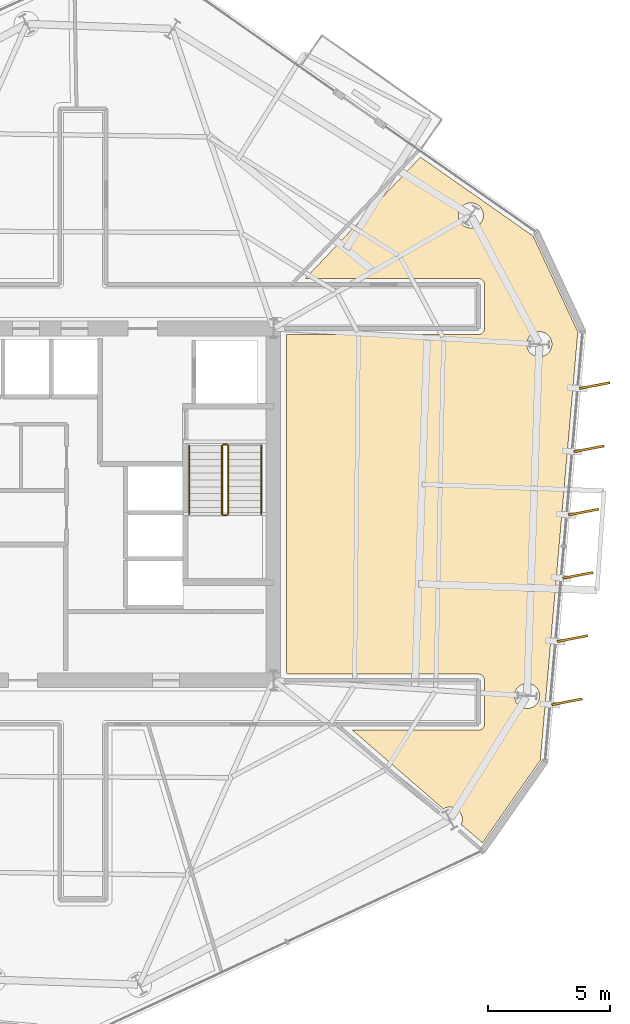
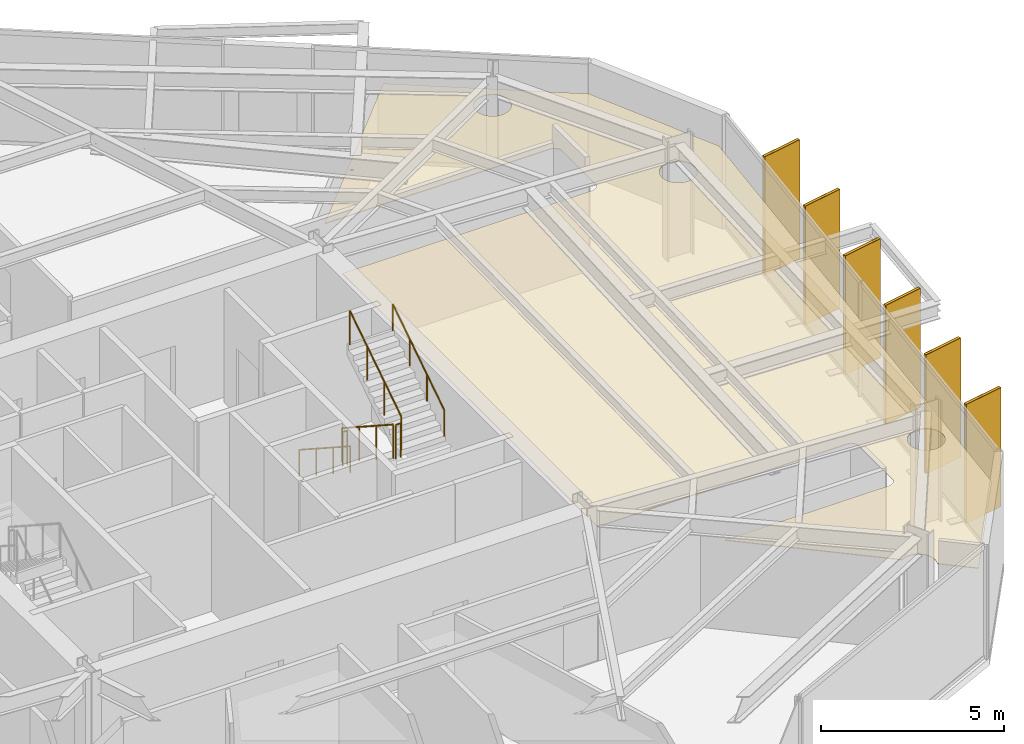
# One storey, part 11 of 12: 7 coverings, 6 railings, 6 shading devices.
"""IFC4 building model written with IfcOpenShell, lengths in metres."""

from ifc_helpers import new_model, si_unit, direction, frame, origin, origin_2d, place, context, subcontext, project, spatial, polyline, rectangle, circle, outline, extrude, material, layer, layer_set, type_object, element, save


model = new_model("IFC4")

# Units and contexts
model_context = context("Model", 3, precision=1e-05, world=origin(), true_north=direction((0.0, 1.0)))
body_context = subcontext(model_context, "Body", "Model", "MODEL_VIEW")
ifc_project = project(units=[si_unit("LENGTHUNIT", "METRE"), si_unit("AREAUNIT", "SQUARE_METRE"), si_unit("VOLUMEUNIT", "CUBIC_METRE"), si_unit("PLANEANGLEUNIT", "RADIAN"), si_unit("MASSUNIT", "GRAM", prefix="KILO")], contexts=[model_context])

# Site, building, storey
site_placement = place(None, origin())
site = spatial("IfcSite", under=ifc_project, at=site_placement, CompositionType="ELEMENT")
building_placement = place(site_placement, origin())
building = spatial("IfcBuilding", under=site, at=building_placement, Name="Kranzbogen Civic Tower", CompositionType="ELEMENT")
storey_placement = place(building_placement, frame((0.0, 0.0, 122.39990234375)))
storey = spatial("IfcBuildingStorey", under=building, at=storey_placement, Name="L29", CompositionType="ELEMENT", Elevation=122.39990234375)

# Coverings
ifc_material_1 = material(Name="Pale Anodised Aluminium", Category="aluminium")
ifc_layer_1 = layer(ifc_material_1, 0.02490234375, Name="Pale Anodised Aluminium")
ifc_layer_set_1 = layer_set([ifc_layer_1], Name="Pale Anodised Aluminium")
covering_type_1 = type_object("IfcCoveringType", Name="Anodised Aluminium Vertical Fin Cladding 25 mm", PredefinedType="CLADDING", material=ifc_layer_set_1)
for number, where, z_axis, x_axis, name in (
    (1, (44.822021484375, 16.912109375, -0.139892578125), (0.0, 0.0, 1.0), (0.982349334715, 0.187055565501, 0.0), "L29 vertical fin pale-metal cladding F6-1"),
    (2, (45.048095703125, 19.501953125, -0.139892578125), (0.0, 0.0, 1.0), (0.982349334715, 0.187055565501, 0.0), "L29 vertical fin pale-metal cladding F6-2"),
    (3, (45.27490234375, 22.092041015625, -0.139892578125), (0.0, 0.0, 1.0), (0.982349334715, 0.187055565501, 0.0), "L29 vertical fin pale-metal cladding F6-3"),
    (4, (45.5009765625, 24.681884765625, -0.139892578125), (0.0, 0.0, 1.0), (0.982349334715, 0.187055565501, 0.0), "L29 vertical fin pale-metal cladding F6-4"),
    (5, (45.72802734375, 27.27197265625, -0.139892578125), (0.0, 0.0, 1.0), (0.982349334715, 0.187055565501, 0.0), "L29 vertical fin pale-metal cladding F6-5"),
    (6, (45.955078125, 29.862060546875, -0.139892578125), (0.0, 0.0, 1.0), (0.982349334715, 0.187055565501, 0.0), "L29 vertical fin pale-metal cladding F6-6"),
):
    element("IfcCovering", number, at=place(storey_placement, frame(where, z_axis=z_axis, x_axis=x_axis)), inside=storey, type_object=covering_type_1, Name=name, PredefinedType="CLADDING", context=body_context, shape_type="SweptSolid", body=[
        extrude(rectangle(XDim=1.25, YDim=0.10009765625, at=origin_2d()), origin(), (0.0, 0.0, 1.0), 3.9599609375),
    ])

# Shading devices
ifc_material_2 = material(Name="Anodised Bronze Aluminium", Category="aluminium")
shading_device_type = type_object("IfcShadingDeviceType", Name="Anodised Bronze Vertical Facade Fin 1250x80", PredefinedType="USERDEFINED", material=ifc_material_2)
for number, where, z_axis, x_axis, name in (
    (7, (44.822021484375, 16.912109375, -0.139892578125), (0.0, 0.0, 1.0), (0.982349334715, 0.187055565501, 0.0), "L29 vertical exterior shading fin F6-1"),
    (8, (45.048095703125, 19.501953125, -0.139892578125), (0.0, 0.0, 1.0), (0.982349334715, 0.187055565501, 0.0), "L29 vertical exterior shading fin F6-2"),
    (9, (45.27490234375, 22.092041015625, -0.139892578125), (0.0, 0.0, 1.0), (0.982349334715, 0.187055565501, 0.0), "L29 vertical exterior shading fin F6-3"),
    (10, (45.5009765625, 24.681884765625, -0.139892578125), (0.0, 0.0, 1.0), (0.982349334715, 0.187055565501, 0.0), "L29 vertical exterior shading fin F6-4"),
    (11, (45.72802734375, 27.27197265625, -0.139892578125), (0.0, 0.0, 1.0), (0.982349334715, 0.187055565501, 0.0), "L29 vertical exterior shading fin F6-5"),
    (12, (45.955078125, 29.862060546875, -0.139892578125), (0.0, 0.0, 1.0), (0.982349334715, 0.187055565501, 0.0), "L29 vertical exterior shading fin F6-6"),
):
    element("IfcShadingDevice", number, at=place(storey_placement, frame(where, z_axis=z_axis, x_axis=x_axis)), inside=storey, type_object=shading_device_type, Name=name, ObjectType="FIN", PredefinedType="USERDEFINED", context=body_context, shape_type="SweptSolid", body=[
        extrude(rectangle(XDim=1.25, YDim=0.080078125, at=origin_2d()), origin(), (0.0, 0.0, 1.0), 3.9599609375),
    ])

# Railings
ifc_material_3 = material(Name="Steel S355", Category="steel")
railing_type_1 = type_object("IfcRailingType", Name="Internal Stair and Void Steel Guardrail 1150", PredefinedType="GUARDRAIL", material=ifc_material_3)
railing_1_placement = place(storey_placement, frame((30.699951171875, 27.39990234375, 0.181884765625)))
element("IfcRailing", 13, at=railing_1_placement, inside=storey, type_object=railing_type_1, Name="L29 ST-T2 stair guard 1", PredefinedType="GUARDRAIL", context=body_context, shape_type="SweptSolid", body=[
    extrude(circle(Radius=0.02392578125, at=origin_2d()), frame((0.0, 0.0, 1.1259765625), z_axis=(0.0, -0.83868413941, 0.544618136222), x_axis=(1.0, 0.0, 0.0)), (0.0, 0.0, 1.0), 3.33837890625),
    extrude(circle(Radius=0.02099609375, at=origin_2d()), origin(), (0.0, 0.0, 1.0), 1.101806640625),
    extrude(circle(Radius=0.02099609375, at=origin_2d()), frame((0.0, -0.933349609375, 0.60595703125)), (0.0, 0.0, 1.0), 1.101806640625),
    extrude(circle(Radius=0.02099609375, at=origin_2d()), frame((0.0, -1.866455078125, 1.212158203125)), (0.0, 0.0, 1.0), 1.101806640625),
    extrude(circle(Radius=0.02099609375, at=origin_2d()), frame((0.0, -2.7998046875, 1.818115234375)), (0.0, 0.0, 1.0), 1.101806640625),
])
railing_2_placement = place(storey_placement, frame((30.75, 24.550048828125, 2.0)))
element("IfcRailing", 14, at=railing_2_placement, inside=storey, type_object=railing_type_1, Name="L29 ST-T2 stair guard 2", PredefinedType="GUARDRAIL", context=body_context, shape_type="SweptSolid", body=[
    extrude(circle(Radius=0.02392578125, at=origin_2d()), frame((0.0, 0.0, 1.1259765625), z_axis=(1.0, 0.0, 0.0), x_axis=(0.0, 1.0, 0.0)), (0.0, 0.0, 1.0), 0.14990234375),
    extrude(circle(Radius=0.02099609375, at=origin_2d()), origin(), (0.0, 0.0, 1.0), 1.101806640625),
    extrude(circle(Radius=0.02099609375, at=origin_2d()), frame((0.14990234375, 0.0, 0.0)), (0.0, 0.0, 1.0), 1.101806640625),
])
railing_3_placement = place(storey_placement, frame((30.949951171875, 24.60009765625, 2.181884765625)))
element("IfcRailing", 15, at=railing_3_placement, inside=storey, type_object=railing_type_1, Name="L29 ST-T2 stair guard 3", PredefinedType="GUARDRAIL", context=body_context, shape_type="SweptSolid", body=[
    extrude(circle(Radius=0.02392578125, at=origin_2d()), frame((0.0, 0.0, 1.1259765625), z_axis=(0.0, 0.83868413941, 0.544618136222), x_axis=(-1.0, 0.0, 0.0)), (0.0, 0.0, 1.0), 3.33837890625),
    extrude(circle(Radius=0.02099609375, at=origin_2d()), origin(), (0.0, 0.0, 1.0), 1.101806640625),
    extrude(circle(Radius=0.02099609375, at=origin_2d()), frame((0.0, 0.933349609375, 0.60595703125)), (0.0, 0.0, 1.0), 1.101806640625),
    extrude(circle(Radius=0.02099609375, at=origin_2d()), frame((0.0, 1.866455078125, 1.212158203125)), (0.0, 0.0, 1.0), 1.101806640625),
    extrude(circle(Radius=0.02099609375, at=origin_2d()), frame((0.0, 2.7998046875, 1.818115234375)), (0.0, 0.0, 1.0), 1.101806640625),
])
railing_4_placement = place(storey_placement, frame((30.75, 27.449951171875, 0.0)))
element("IfcRailing", 16, at=railing_4_placement, inside=storey, type_object=railing_type_1, Name="L29 ST-T2 stair guard 4", PredefinedType="GUARDRAIL", context=body_context, shape_type="SweptSolid", body=[
    extrude(circle(Radius=0.02392578125, at=origin_2d()), frame((0.0, 0.0, 1.1259765625), z_axis=(1.0, 0.0, 0.0), x_axis=(0.0, 1.0, 0.0)), (0.0, 0.0, 1.0), 0.14990234375),
    extrude(circle(Radius=0.02099609375, at=origin_2d()), origin(), (0.0, 0.0, 1.0), 1.101806640625),
    extrude(circle(Radius=0.02099609375, at=origin_2d()), frame((0.14990234375, 0.0, 0.0)), (0.0, 0.0, 1.0), 1.101806640625),
])

# Covering
ifc_material_4 = material(Name="Perforated Acoustic Gypsum Ceiling")
ifc_layer_2 = layer(ifc_material_4, 0.02490234375, Name="Perforated Acoustic Gypsum Ceiling")
ifc_layer_set_2 = layer_set([ifc_layer_2], Name="Perforated Acoustic Gypsum Ceiling")
covering_type_2 = type_object("IfcCoveringType", Name="Perforated Acoustic Mineral Ceiling Tile 25 mm", PredefinedType="CEILING", material=ifc_layer_set_2)
covering_placement = place(storey_placement, frame((0.0, 0.0, 2.75)))
element("IfcCovering", 17, at=covering_placement, inside=storey, type_object=covering_type_2, Name="L29 Staff Tea Pantry acoustic ceiling", PredefinedType="CEILING", context=body_context, shape_type="SweptSolid", body=[
    extrude(outline(polyline([(41.362060546875, 11.137939453125), (40.4951171875, 11.888916015625), (40.498046875, 11.89501953125), (40.514892578125, 11.943115234375), (40.527099609375, 11.991943359375), (40.534912109375, 12.0419921875), (40.537109375, 12.092041015625), (40.534912109375, 12.14208984375), (40.527099609375, 12.19189453125), (40.514892578125, 12.240966796875), (40.498046875, 12.2890625), (40.47705078125, 12.333984375), (40.450927734375, 12.3779296875), (40.4208984375, 12.41796875), (40.386962890625, 12.4560546875), (40.34912109375, 12.489990234375), (40.30908203125, 12.52001953125), (40.264892578125, 12.5458984375), (40.219970703125, 12.56689453125), (40.172119140625, 12.583984375), (40.123046875, 12.595947265625), (40.072998046875, 12.60400390625), (40.02294921875, 12.60595703125), (39.972900390625, 12.60400390625), (39.923095703125, 12.595947265625), (39.8740234375, 12.583984375), (39.825927734375, 12.56689453125), (39.781005859375, 12.5458984375), (39.756103515625, 12.531005859375), (36.037109375, 15.7548828125), (41.199951171875, 15.7548828125), (41.208984375, 15.7548828125), (41.215087890625, 15.756103515625), (41.23291015625, 15.757080078125), (41.239013671875, 15.758056640625), (41.256103515625, 15.761962890625), (41.262939453125, 15.762939453125), (41.280029296875, 15.76806640625), (41.285888671875, 15.77001953125), (41.302001953125, 15.777099609375), (41.30810546875, 15.780029296875), (41.322998046875, 15.7880859375), (41.3291015625, 15.7919921875), (41.343017578125, 15.801025390625), (41.347900390625, 15.804931640625), (41.362060546875, 15.81591796875), (41.366943359375, 15.821044921875), (41.37890625, 15.8330078125), (41.384033203125, 15.837890625), (41.39501953125, 15.85205078125), (41.39892578125, 15.85693359375), (41.407958984375, 15.87109375), (41.412109375, 15.876953125), (41.419921875, 15.89208984375), (41.423095703125, 15.89794921875), (41.429931640625, 15.9140625), (41.431884765625, 15.919921875), (41.43701171875, 15.93701171875), (41.43798828125, 15.944091796875), (41.44189453125, 15.9609375), (41.443115234375, 15.967041015625), (41.444091796875, 15.985107421875), (41.445068359375, 15.990966796875), (41.445068359375, 16.0), (41.445068359375, 17.800048828125), (41.445068359375, 17.80908203125), (41.444091796875, 17.81494140625), (41.443115234375, 17.8330078125), (41.44189453125, 17.839111328125), (41.43798828125, 17.85595703125), (41.43701171875, 17.863037109375), (41.431884765625, 17.8798828125), (41.429931640625, 17.885986328125), (41.423095703125, 17.902099609375), (41.419921875, 17.907958984375), (41.412109375, 17.923095703125), (41.407958984375, 17.928955078125), (41.39892578125, 17.943115234375), (41.39501953125, 17.947998046875), (41.384033203125, 17.9619140625), (41.37890625, 17.967041015625), (41.366943359375, 17.97900390625), (41.362060546875, 17.98388671875), (41.347900390625, 17.9951171875), (41.343017578125, 17.9990234375), (41.3291015625, 18.008056640625), (41.322998046875, 18.011962890625), (41.30810546875, 18.02001953125), (41.302001953125, 18.02294921875), (41.285888671875, 18.030029296875), (41.280029296875, 18.031982421875), (41.262939453125, 18.037109375), (41.256103515625, 18.0380859375), (41.239013671875, 18.0419921875), (41.23291015625, 18.04296875), (41.215087890625, 18.0439453125), (41.208984375, 18.044921875), (41.199951171875, 18.044921875), (33.39599609375, 18.044921875), (33.344970703125, 18.089111328125), (33.344970703125, 31.955078125), (41.199951171875, 31.955078125), (41.208984375, 31.955078125), (41.215087890625, 31.9560546875), (41.23291015625, 31.95703125), (41.239013671875, 31.9580078125), (41.256103515625, 31.9619140625), (41.262939453125, 31.962890625), (41.280029296875, 31.968017578125), (41.285888671875, 31.969970703125), (41.302001953125, 31.97705078125), (41.30810546875, 31.97998046875), (41.322998046875, 31.988037109375), (41.3291015625, 31.991943359375), (41.343017578125, 32.0009765625), (41.347900390625, 32.0048828125), (41.362060546875, 32.01611328125), (41.366943359375, 32.02099609375), (41.37890625, 32.032958984375), (41.384033203125, 32.0380859375), (41.39501953125, 32.052001953125), (41.39892578125, 32.056884765625), (41.407958984375, 32.071044921875), (41.412109375, 32.076904296875), (41.419921875, 32.092041015625), (41.423095703125, 32.097900390625), (41.429931640625, 32.114013671875), (41.431884765625, 32.1201171875), (41.43701171875, 32.136962890625), (41.43798828125, 32.14404296875), (41.44189453125, 32.160888671875), (41.443115234375, 32.1669921875), (41.444091796875, 32.18505859375), (41.445068359375, 32.19091796875), (41.445068359375, 32.199951171875), (41.445068359375, 34.0), (41.445068359375, 34.009033203125), (41.444091796875, 34.014892578125), (41.443115234375, 34.032958984375), (41.44189453125, 34.0390625), (41.43798828125, 34.055908203125), (41.43701171875, 34.06298828125), (41.431884765625, 34.080078125), (41.429931640625, 34.0859375), (41.423095703125, 34.10205078125), (41.419921875, 34.10791015625), (41.412109375, 34.123046875), (41.407958984375, 34.12890625), (41.39892578125, 34.14306640625), (41.39501953125, 34.14794921875), (41.384033203125, 34.162109375), (41.37890625, 34.1669921875), (41.366943359375, 34.178955078125), (41.362060546875, 34.18408203125), (41.347900390625, 34.195068359375), (41.343017578125, 34.198974609375), (41.3291015625, 34.2080078125), (41.322998046875, 34.2119140625), (41.30810546875, 34.219970703125), (41.302001953125, 34.222900390625), (41.285888671875, 34.22998046875), (41.280029296875, 34.23193359375), (41.262939453125, 34.237060546875), (41.256103515625, 34.238037109375), (41.239013671875, 34.241943359375), (41.23291015625, 34.242919921875), (41.215087890625, 34.243896484375), (41.208984375, 34.2451171875), (41.199951171875, 34.2451171875), (34.10693359375, 34.2451171875), (38.822998046875, 39.217041015625), (43.43896484375, 35.985107421875), (45.26806640625, 32.06494140625), (43.73291015625, 14.52294921875), (41.362060546875, 11.137939453125)]), holes=[polyline([(43.662109375, 16.958984375), (43.64111328125, 16.9140625), (43.614990234375, 16.8701171875), (43.5849609375, 16.830078125), (43.551025390625, 16.7919921875), (43.512939453125, 16.758056640625), (43.472900390625, 16.72802734375), (43.428955078125, 16.701904296875), (43.384033203125, 16.680908203125), (43.3359375, 16.6640625), (43.287109375, 16.652099609375), (43.237060546875, 16.64404296875), (43.18701171875, 16.64208984375), (43.136962890625, 16.64404296875), (43.0869140625, 16.652099609375), (43.0380859375, 16.6640625), (42.989990234375, 16.680908203125), (42.945068359375, 16.701904296875), (42.90087890625, 16.72802734375), (42.861083984375, 16.758056640625), (42.822998046875, 16.7919921875), (42.7890625, 16.830078125), (42.759033203125, 16.8701171875), (42.73291015625, 16.9140625), (42.7119140625, 16.958984375), (42.695068359375, 17.007080078125), (42.68310546875, 17.055908203125), (42.675048828125, 17.10595703125), (42.673095703125, 17.156005859375), (42.675048828125, 17.2060546875), (42.68310546875, 17.256103515625), (42.695068359375, 17.304931640625), (42.7119140625, 17.35302734375), (42.73291015625, 17.39794921875), (42.759033203125, 17.44189453125), (42.7890625, 17.48193359375), (42.822998046875, 17.52001953125), (42.861083984375, 17.553955078125), (42.90087890625, 17.583984375), (42.945068359375, 17.610107421875), (42.989990234375, 17.631103515625), (43.0380859375, 17.64794921875), (43.0869140625, 17.659912109375), (43.136962890625, 17.66796875), (43.18701171875, 17.669921875), (43.237060546875, 17.66796875), (43.287109375, 17.659912109375), (43.3359375, 17.64794921875), (43.384033203125, 17.631103515625), (43.428955078125, 17.610107421875), (43.472900390625, 17.583984375), (43.512939453125, 17.553955078125), (43.551025390625, 17.52001953125), (43.5849609375, 17.48193359375), (43.614990234375, 17.44189453125), (43.64111328125, 17.39794921875), (43.662109375, 17.35302734375), (43.678955078125, 17.304931640625), (43.69091796875, 17.256103515625), (43.698974609375, 17.2060546875), (43.700927734375, 17.156005859375), (43.698974609375, 17.10595703125), (43.69091796875, 17.055908203125), (43.678955078125, 17.007080078125), (43.662109375, 16.958984375)]), polyline([(44.1650390625, 31.35888671875), (44.14404296875, 31.31396484375), (44.117919921875, 31.27001953125), (44.087890625, 31.22998046875), (44.053955078125, 31.19189453125), (44.01611328125, 31.157958984375), (43.97607421875, 31.1279296875), (43.931884765625, 31.10205078125), (43.886962890625, 31.0810546875), (43.839111328125, 31.06396484375), (43.7900390625, 31.052001953125), (43.739990234375, 31.0439453125), (43.68994140625, 31.0419921875), (43.639892578125, 31.0439453125), (43.590087890625, 31.052001953125), (43.541015625, 31.06396484375), (43.492919921875, 31.0810546875), (43.447998046875, 31.10205078125), (43.404052734375, 31.1279296875), (43.364013671875, 31.157958984375), (43.325927734375, 31.19189453125), (43.2919921875, 31.22998046875), (43.261962890625, 31.27001953125), (43.236083984375, 31.31396484375), (43.215087890625, 31.35888671875), (43.197998046875, 31.406982421875), (43.18603515625, 31.4560546875), (43.177978515625, 31.506103515625), (43.176025390625, 31.555908203125), (43.177978515625, 31.60595703125), (43.18603515625, 31.656005859375), (43.197998046875, 31.705078125), (43.215087890625, 31.7529296875), (43.236083984375, 31.798095703125), (43.261962890625, 31.842041015625), (43.2919921875, 31.882080078125), (43.325927734375, 31.919921875), (43.364013671875, 31.9541015625), (43.404052734375, 31.98388671875), (43.447998046875, 32.010009765625), (43.492919921875, 32.031005859375), (43.541015625, 32.048095703125), (43.590087890625, 32.06005859375), (43.639892578125, 32.068115234375), (43.68994140625, 32.070068359375), (43.739990234375, 32.068115234375), (43.7900390625, 32.06005859375), (43.839111328125, 32.048095703125), (43.886962890625, 32.031005859375), (43.931884765625, 32.010009765625), (43.97607421875, 31.98388671875), (44.01611328125, 31.9541015625), (44.053955078125, 31.919921875), (44.087890625, 31.882080078125), (44.117919921875, 31.842041015625), (44.14404296875, 31.798095703125), (44.1650390625, 31.7529296875), (44.181884765625, 31.705078125), (44.194091796875, 31.656005859375), (44.201904296875, 31.60595703125), (44.2041015625, 31.555908203125), (44.201904296875, 31.506103515625), (44.194091796875, 31.4560546875), (44.181884765625, 31.406982421875), (44.1650390625, 31.35888671875)]), polyline([(41.361083984375, 36.632080078125), (41.340087890625, 36.5869140625), (41.31396484375, 36.54296875), (41.283935546875, 36.5029296875), (41.25, 36.465087890625), (41.2119140625, 36.430908203125), (41.172119140625, 36.40087890625), (41.1279296875, 36.375), (41.0830078125, 36.35400390625), (41.034912109375, 36.3369140625), (40.986083984375, 36.324951171875), (40.93603515625, 36.31689453125), (40.885986328125, 36.31494140625), (40.8359375, 36.31689453125), (40.785888671875, 36.324951171875), (40.737060546875, 36.3369140625), (40.68896484375, 36.35400390625), (40.64404296875, 36.375), (40.60009765625, 36.40087890625), (40.56005859375, 36.430908203125), (40.52197265625, 36.465087890625), (40.488037109375, 36.5029296875), (40.4580078125, 36.54296875), (40.431884765625, 36.5869140625), (40.410888671875, 36.632080078125), (40.39404296875, 36.679931640625), (40.382080078125, 36.72900390625), (40.3740234375, 36.779052734375), (40.3720703125, 36.8291015625), (40.3740234375, 36.87890625), (40.382080078125, 36.928955078125), (40.39404296875, 36.97802734375), (40.410888671875, 37.02587890625), (40.431884765625, 37.071044921875), (40.4580078125, 37.114990234375), (40.488037109375, 37.155029296875), (40.52197265625, 37.193115234375), (40.56005859375, 37.22705078125), (40.60009765625, 37.257080078125), (40.64404296875, 37.282958984375), (40.68896484375, 37.303955078125), (40.737060546875, 37.321044921875), (40.785888671875, 37.3330078125), (40.8359375, 37.341064453125), (40.885986328125, 37.343017578125), (40.93603515625, 37.341064453125), (40.986083984375, 37.3330078125), (41.034912109375, 37.321044921875), (41.0830078125, 37.303955078125), (41.1279296875, 37.282958984375), (41.172119140625, 37.257080078125), (41.2119140625, 37.22705078125), (41.25, 37.193115234375), (41.283935546875, 37.155029296875), (41.31396484375, 37.114990234375), (41.340087890625, 37.071044921875), (41.361083984375, 37.02587890625), (41.3779296875, 36.97802734375), (41.389892578125, 36.928955078125), (41.39794921875, 36.87890625), (41.39990234375, 36.8291015625), (41.39794921875, 36.779052734375), (41.389892578125, 36.72900390625), (41.3779296875, 36.679931640625), (41.361083984375, 36.632080078125)])]), origin(), (0.0, 0.0, 1.0), 0.025146484375),
])

# Railings
railing_type_2 = type_object("IfcRailingType", Name="Tubular Stainless Stair Wall Handrail 900", PredefinedType="HANDRAIL", material=ifc_material_1)
railing_5_placement = place(storey_placement, frame((29.35009765625, 27.39990234375, 0.181884765625)))
element("IfcRailing", 18, at=railing_5_placement, inside=storey, type_object=railing_type_2, Name="L29 ST-T2 stair handrail 1", PredefinedType="HANDRAIL", context=body_context, shape_type="SweptSolid", body=[
    extrude(circle(Radius=0.02392578125, at=origin_2d()), frame((0.0, 0.0, 0.8759765625), z_axis=(0.0, -0.83868413941, 0.544618136222), x_axis=(1.0, 0.0, 0.0)), (0.0, 0.0, 1.0), 3.33837890625),
    extrude(circle(Radius=0.02099609375, at=origin_2d()), origin(), (0.0, 0.0, 1.0), 0.851806640625),
    extrude(circle(Radius=0.02099609375, at=origin_2d()), frame((0.0, -0.933349609375, 0.60595703125)), (0.0, 0.0, 1.0), 0.851806640625),
    extrude(circle(Radius=0.02099609375, at=origin_2d()), frame((0.0, -1.866455078125, 1.212158203125)), (0.0, 0.0, 1.0), 0.851806640625),
    extrude(circle(Radius=0.02099609375, at=origin_2d()), frame((0.0, -2.7998046875, 1.818115234375)), (0.0, 0.0, 1.0), 0.851806640625),
])
railing_6_placement = place(storey_placement, frame((32.300048828125, 24.60009765625, 2.181884765625)))
element("IfcRailing", 19, at=railing_6_placement, inside=storey, type_object=railing_type_2, Name="L29 ST-T2 stair handrail 2", PredefinedType="HANDRAIL", context=body_context, shape_type="SweptSolid", body=[
    extrude(circle(Radius=0.02392578125, at=origin_2d()), frame((0.0, 0.0, 0.8759765625), z_axis=(0.0, 0.83868413941, 0.544618136222), x_axis=(-1.0, 0.0, 0.0)), (0.0, 0.0, 1.0), 3.33837890625),
    extrude(circle(Radius=0.02099609375, at=origin_2d()), origin(), (0.0, 0.0, 1.0), 0.851806640625),
    extrude(circle(Radius=0.02099609375, at=origin_2d()), frame((0.0, 0.933349609375, 0.60595703125)), (0.0, 0.0, 1.0), 0.851806640625),
    extrude(circle(Radius=0.02099609375, at=origin_2d()), frame((0.0, 1.866455078125, 1.212158203125)), (0.0, 0.0, 1.0), 0.851806640625),
    extrude(circle(Radius=0.02099609375, at=origin_2d()), frame((0.0, 2.7998046875, 1.818115234375)), (0.0, 0.0, 1.0), 0.851806640625),
])

save(model, "model.ifc")
